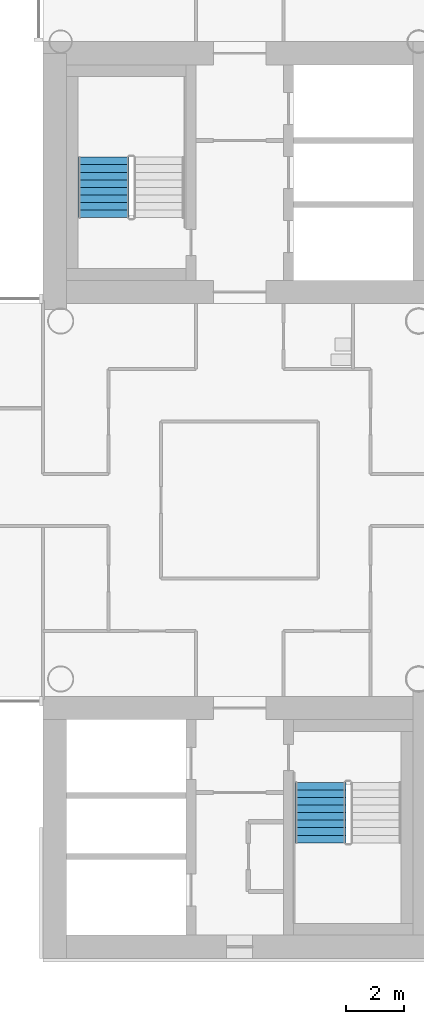
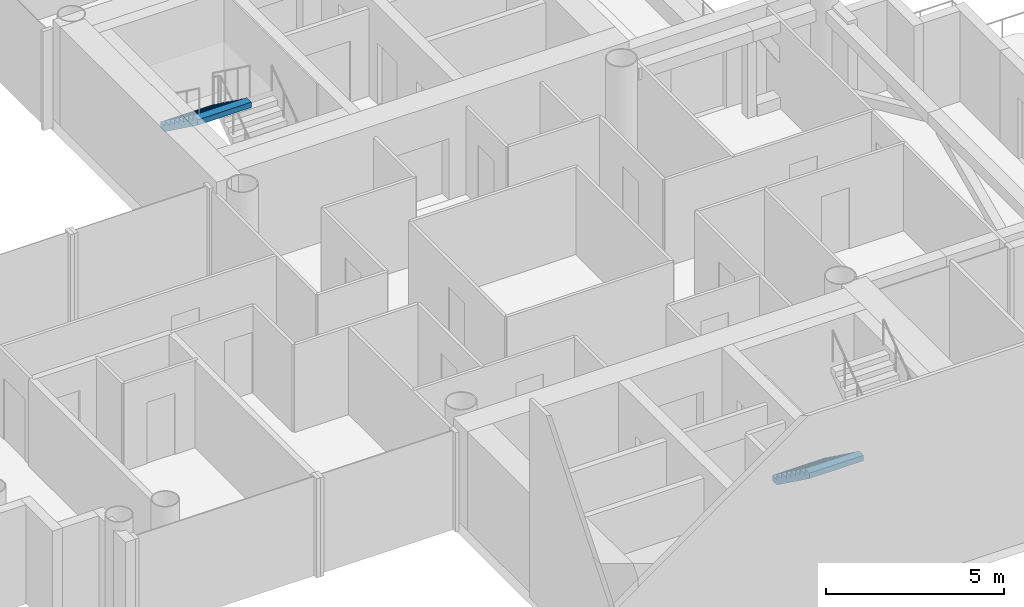
# One storey, part 15 of 19: 2 stair flights, 2 elements without a shape of their own.
"""IFC4 building model written with IfcOpenShell, lengths in metres."""

import ifcopenshell
import ifcopenshell.guid

model = None  # the IFC model being written
_history = None  # IfcOwnerHistory: only IFC2X3 demands one
_inside = {}  # id of a spatial element -> (the spatial element, [elements in it])
_under = {}  # id of a project, library or spatial element -> (it, [spatial elements below it])
_declared = {}  # id of a project -> (the project, [libraries it declares])
_typed = {}  # id of a type object -> (the type object, [elements of that type])
_made_of = {}  # id of a material, layer set ... -> (it, [elements and type objects made of it])


def new_model(schema):
    """Start an empty IFC model of exactly this schema.

    Asked for "IFC4X3", IfcOpenShell would pick the latest addendum, in which some entities
    have other attributes; the version numbers below select the first issue.
    IFC2X3 requires an IfcOwnerHistory on every rooted entity: one is made here for all.
    """
    global model, _history
    if schema == "IFC4X3":
        model = ifcopenshell.file(schema_version=(4, 3, 0, 0))
    else:
        model = ifcopenshell.file(schema=schema)
    _inside.clear()
    _under.clear()
    _declared.clear()
    _typed.clear()
    _made_of.clear()
    _history = None
    if model.schema == "IFC2X3":
        org = make("IfcOrganization", Name="unknown")
        user = make(
            "IfcPersonAndOrganization",
            ThePerson=make("IfcPerson", FamilyName="unknown"),
            TheOrganization=org,
        )
        app = make(
            "IfcApplication",
            ApplicationDeveloper=org,
            Version="unknown",
            ApplicationFullName="unknown",
            ApplicationIdentifier="unknown",
        )
        _history = make(
            "IfcOwnerHistory",
            OwningUser=user,
            OwningApplication=app,
            ChangeAction="ADDED",
            CreationDate=0,
        )
    return model


def make(cls, **values):
    """One entity of the class cls with the attributes given. An attribute that is None is left unset."""
    return model.create_entity(
        cls, **{name: value for name, value in values.items() if value is not None}
    )


def rooted(cls, **values):
    """An entity with a GlobalId (a new one), such as an element, a storey or a relation."""
    return make(cls, GlobalId=ifcopenshell.guid.new(), OwnerHistory=_history, **values)


def si_unit(unit_type, name, prefix=None):
    """IfcSIUnit, for example si_unit("LENGTHUNIT", "METRE", prefix="MILLI")."""
    return make("IfcSIUnit", UnitType=unit_type, Prefix=prefix, Name=name)


def assignment(units):
    """IfcUnitAssignment: the units of a project."""
    return None if units is None else make("IfcUnitAssignment", Units=units)


def point(xyz):
    """IfcCartesianPoint."""
    return None if xyz is None else make("IfcCartesianPoint", Coordinates=xyz)


def direction(xyz):
    """IfcDirection."""
    return None if xyz is None else make("IfcDirection", DirectionRatios=xyz)


def frame(location, z_axis=None, x_axis=None):
    """IfcAxis2Placement3D, a coordinate frame: its origin and axes. An axis left out is left unset."""
    return make(
        "IfcAxis2Placement3D",
        Location=point(location),
        Axis=direction(z_axis),
        RefDirection=direction(x_axis),
    )


def origin():
    """The frame at (0, 0, 0) with its axes left unset."""
    return frame((0.0, 0.0, 0.0))


def place(relative_to, where):
    """IfcLocalPlacement: puts the frame where relative to a parent placement (None: the world)."""
    return make(
        "IfcLocalPlacement", PlacementRelTo=relative_to, RelativePlacement=where
    )


def context(
    kind, dimensions, precision=None, world=None, true_north=None, identifier=None
):
    """IfcGeometricRepresentationContext, for example the 3D "Model" context."""
    return make(
        "IfcGeometricRepresentationContext",
        ContextIdentifier=identifier,
        ContextType=kind,
        CoordinateSpaceDimension=dimensions,
        Precision=precision,
        WorldCoordinateSystem=world,
        TrueNorth=true_north,
    )


def subcontext(parent, identifier, kind, view, scale=None):
    """IfcGeometricRepresentationSubContext, for example "Body" below "Model"."""
    return make(
        "IfcGeometricRepresentationSubContext",
        ContextIdentifier=identifier,
        ContextType=kind,
        ParentContext=parent,
        TargetScale=scale,
        TargetView=view,
    )


def project(units=None, contexts=None):
    """IfcProject with its units and contexts."""
    return rooted(
        "IfcProject",
        Name="project",
        RepresentationContexts=contexts,
        UnitsInContext=assignment(units),
    )


def spatial(cls, under=None, at=None, **own):
    """A site, building, storey or space (cls), placed at a placement, below another one or the project."""
    s = rooted(cls, ObjectPlacement=at, **own)
    if under is not None:
        _under.setdefault(under.id(), (under, []))[1].append(s)
    return s


def faces_of(points, faces, orient=None, outer=None):
    """IfcFace entities. A face is a list of loops; a loop is a list of indices into points, from 0.

    orient and outer hold one flag for each loop. By default every Orientation is true, the
    first loop of a face is its IfcFaceOuterBound and the others are IfcFaceBound.
    """
    made = []
    for i, loops in enumerate(faces):
        bounds = []
        for j, loop in enumerate(loops):
            is_outer = j == 0 if outer is None else outer[i][j]
            bounds.append(
                make(
                    "IfcFaceOuterBound" if is_outer else "IfcFaceBound",
                    Bound=make("IfcPolyLoop", Polygon=[points[k] for k in loop]),
                    Orientation=True if orient is None else orient[i][j],
                )
            )
        made.append(make("IfcFace", Bounds=bounds))
    return made


def faceted_brep(points, faces, orient=None, outer=None, voids=None):
    """IfcFacetedBrep: a solid bounded by flat faces; with voids (closed shells), ...WithVoids."""
    shared = [point(p) for p in points]
    hull = make("IfcClosedShell", CfsFaces=faces_of(shared, faces, orient, outer))
    if voids is None:
        return make("IfcFacetedBrep", Outer=hull)
    return make(
        "IfcFacetedBrepWithVoids",
        Outer=hull,
        Voids=[
            make(cls, CfsFaces=faces_of(shared, fs, o, b)) for cls, fs, o, b in voids
        ],
    )


def shape(context_of_items, identifier, shape_type, items):
    """IfcShapeRepresentation: the items that make up one representation, for example the "Body"."""
    return make(
        "IfcShapeRepresentation",
        ContextOfItems=context_of_items,
        RepresentationIdentifier=identifier,
        RepresentationType=shape_type,
        Items=items,
    )


def material(Name=None, Category=None):
    """IfcMaterial."""
    return make("IfcMaterial", Name=Name, Category=Category)


def made_of(thing, what):
    """Note that an element or type object is made of a material, layer set ...; save() writes the relation."""
    if what is not None:
        _made_of.setdefault(what.id(), (what, []))[1].append(thing)
    return thing


def type_object(cls, material=None, **own):
    """A type object (cls), such as IfcWallType, which elements share."""
    return made_of(rooted(cls, **own), material)


def element(
    cls,
    number,
    at=None,
    inside=None,
    cuts=None,
    type_object=None,
    material=None,
    context=None,
    identifier="Body",
    shape_type=None,
    held_by="IfcProductDefinitionShape",
    body=None,
    shapes=None,
    **own,
):
    """One element of the class cls, such as IfcWall. Its Tag is "e" and its number.

    at: its placement. inside: the storey or other place that contains it. cuts: it is an
    opening in that element (IfcRelVoidsElement). A single representation is given by context,
    identifier, shape_type and body (its items); several are given by shapes. held_by: the class
    of the entity that holds the representations. save() writes the other relations.
    """
    e = rooted(cls, Tag="e%d" % number, ObjectPlacement=at, **own)
    if body is not None:
        shapes = [shape(context, identifier, shape_type, body)]
    if shapes is not None:
        e.Representation = make(held_by, Representations=shapes)
    if inside is not None:
        _inside.setdefault(inside.id(), (inside, []))[1].append(e)
    if cuts is not None:
        rooted(
            "IfcRelVoidsElement", RelatingBuildingElement=cuts, RelatedOpeningElement=e
        )
    if type_object is not None:
        _typed.setdefault(type_object.id(), (type_object, []))[1].append(e)
    return made_of(e, material)


def aggregate(whole, parts):
    """IfcRelAggregates: a whole, such as a stair, and the parts it consists of."""
    return rooted("IfcRelAggregates", RelatingObject=whole, RelatedObjects=parts)


def save(model, path):
    """Write the relations noted so far, then the file.

    IfcRelAggregates (storeys below a building ...), IfcRelContainedInSpatialStructure (elements
    in a storey), IfcRelDefinesByType, IfcRelAssociatesMaterial and IfcRelDeclares: one each for
    every whole, place, type object, material and project.
    """
    for whole, parts in _under.values():
        aggregate(whole, parts)
    for where, things in _inside.values():
        rooted(
            "IfcRelContainedInSpatialStructure",
            RelatedElements=things,
            RelatingStructure=where,
        )
    for kind, things in _typed.values():
        rooted("IfcRelDefinesByType", RelatedObjects=things, RelatingType=kind)
    for what, things in _made_of.values():
        rooted("IfcRelAssociatesMaterial", RelatedObjects=things, RelatingMaterial=what)
    for by, libraries in _declared.values():
        rooted("IfcRelDeclares", RelatingContext=by, RelatedDefinitions=libraries)
    model.write(path)


model = new_model("IFC4")

# Units and contexts
model_context = context("Model", 3, precision=1e-05, world=origin(), true_north=direction((0.0, 1.0)))
body_context = subcontext(model_context, "Body", "Model", "MODEL_VIEW")
ifc_project = project(units=[si_unit("LENGTHUNIT", "METRE"), si_unit("AREAUNIT", "SQUARE_METRE"), si_unit("VOLUMEUNIT", "CUBIC_METRE"), si_unit("PLANEANGLEUNIT", "RADIAN"), si_unit("MASSUNIT", "GRAM", prefix="KILO")], contexts=[model_context])

# Site, building, storey
site_placement = place(None, origin())
site = spatial("IfcSite", under=ifc_project, at=site_placement, CompositionType="ELEMENT")
building_placement = place(site_placement, origin())
building = spatial("IfcBuilding", under=site, at=building_placement, Name="Ipe Terrace Towers", CompositionType="ELEMENT")
storey_placement = place(building_placement, frame((0.0, 0.0, 133.699951171875)))
storey = spatial("IfcBuildingStorey", under=building, at=storey_placement, Name="L36", CompositionType="ELEMENT", Elevation=133.699951171875)

# Stair, stair flight
ifc_material_1 = material(Name="Concrete C30/37", Category="concrete")
stair_type = type_object("IfcStairType", Name="Protected exit stair", PredefinedType="HALF_TURN_STAIR", material=ifc_material_1)
stair_1_placement = place(storey_placement, origin())
stair_1 = element("IfcStair", 1, at=stair_1_placement, inside=storey, type_object=stair_type, Name="L36 Exit stair T2-C1", PredefinedType="HALF_TURN_STAIR")
ifc_material_2 = material(Name="Concrete C30/37", Category="concrete")
stair_flight_type = type_object("IfcStairFlightType", Name="Exit stair flight 1750", PredefinedType="STRAIGHT", material=ifc_material_2)
stair_flight_1_placement = place(storey_placement, frame((31.324951171875, 11.780029296875, 1.699951171875), z_axis=(0.0, 0.0, 1.0), x_axis=(0.0, -1.0, 0.0)))
stair_flight_1 = element("IfcStairFlight", 2, at=stair_flight_1_placement, type_object=stair_flight_type, Name="T2-ST1 flight 2", NumberOfRisers=9, NumberOfTreads=8, PredefinedType="STRAIGHT", RiserHeight=0.188888889, TreadLength=0.26, context=body_context, shape_type="Brep", body=[
    faceted_brep([(0.255126953125, -0.875, 0.0), (2.080078125, -0.875, 1.325927734375), (2.080078125, -0.875, 1.51123046875), (1.820068359375, -0.875, 1.51123046875), (1.820068359375, -0.875, 1.322265625), (1.56005859375, -0.875, 1.322265625), (1.56005859375, -0.875, 1.13330078125), (1.300048828125, -0.875, 1.13330078125), (1.300048828125, -0.875, 0.9443359375), (1.0400390625, -0.875, 0.9443359375), (1.0400390625, -0.875, 0.755615234375), (0.780029296875, -0.875, 0.755615234375), (0.780029296875, -0.875, 0.566650390625), (0.52001953125, -0.875, 0.566650390625), (0.52001953125, -0.875, 0.377685546875), (0.260009765625, -0.875, 0.377685546875), (0.260009765625, -0.875, 0.18896484375), (0.0, -0.875, 0.18896484375), (0.0, -0.875, 0.0), (0.0, 0.875, 0.0), (0.0, 0.875, 0.18896484375), (0.260009765625, 0.875, 0.18896484375), (0.260009765625, 0.875, 0.377685546875), (0.52001953125, 0.875, 0.377685546875), (0.52001953125, 0.875, 0.566650390625), (0.780029296875, 0.875, 0.566650390625), (0.780029296875, 0.875, 0.755615234375), (1.0400390625, 0.875, 0.755615234375), (1.0400390625, 0.875, 0.9443359375), (1.300048828125, 0.875, 0.9443359375), (1.300048828125, 0.875, 1.13330078125), (1.56005859375, 0.875, 1.13330078125), (1.56005859375, 0.875, 1.322265625), (1.820068359375, 0.875, 1.322265625), (1.820068359375, 0.875, 1.51123046875), (2.080078125, 0.875, 1.51123046875), (2.080078125, 0.875, 1.325927734375), (0.255126953125, 0.875, 0.0), (0.0, -0.300048828125, 0.18896484375), (0.0, -0.1201171875, 0.18896484375), (0.0, -0.06005859375, 0.18896484375), (0.0, -0.030029296875, 0.18896484375), (0.0, -0.010009765625, 0.18896484375), (0.0, 0.0, 0.18896484375), (0.0, 0.010009765625, 0.18896484375), (0.0, 0.030029296875, 0.18896484375), (0.0, 0.06005859375, 0.18896484375), (0.0, 0.1201171875, 0.18896484375), (0.0, 0.300048828125, 0.18896484375), (0.0, 0.300048828125, 0.0), (0.0, 0.1201171875, 0.0), (0.0, 0.06005859375, 0.0), (0.0, 0.030029296875, 0.0), (0.0, 0.010009765625, 0.0), (0.0, 0.0, 0.0), (0.0, -0.010009765625, 0.0), (0.0, -0.030029296875, 0.0), (0.0, -0.06005859375, 0.0), (0.0, -0.1201171875, 0.0), (0.0, -0.300048828125, 0.0), (0.260009765625, -0.300048828125, 0.18896484375), (0.260009765625, -0.1201171875, 0.18896484375), (0.260009765625, -0.06005859375, 0.18896484375), (0.260009765625, -0.030029296875, 0.18896484375), (0.260009765625, -0.010009765625, 0.18896484375), (0.260009765625, 0.0, 0.18896484375), (0.260009765625, 0.010009765625, 0.18896484375), (0.260009765625, 0.030029296875, 0.18896484375), (0.260009765625, 0.06005859375, 0.18896484375), (0.260009765625, 0.1201171875, 0.18896484375), (0.260009765625, 0.300048828125, 0.18896484375), (0.260009765625, -0.300048828125, 0.377685546875), (0.260009765625, -0.1201171875, 0.377685546875), (0.260009765625, -0.06005859375, 0.377685546875), (0.260009765625, -0.030029296875, 0.377685546875), (0.260009765625, -0.010009765625, 0.377685546875), (0.260009765625, 0.0, 0.377685546875), (0.260009765625, 0.010009765625, 0.377685546875), (0.260009765625, 0.030029296875, 0.377685546875), (0.260009765625, 0.06005859375, 0.377685546875), (0.260009765625, 0.1201171875, 0.377685546875), (0.260009765625, 0.300048828125, 0.377685546875), (0.52001953125, -0.300048828125, 0.377685546875), (0.52001953125, -0.1201171875, 0.377685546875), (0.52001953125, -0.06005859375, 0.377685546875), (0.52001953125, -0.030029296875, 0.377685546875), (0.52001953125, -0.010009765625, 0.377685546875), (0.52001953125, 0.0, 0.377685546875), (0.52001953125, 0.010009765625, 0.377685546875), (0.52001953125, 0.030029296875, 0.377685546875), (0.52001953125, 0.06005859375, 0.377685546875), (0.52001953125, 0.1201171875, 0.377685546875), (0.52001953125, 0.300048828125, 0.377685546875), (0.52001953125, -0.300048828125, 0.566650390625), (0.52001953125, -0.1201171875, 0.566650390625), (0.52001953125, -0.06005859375, 0.566650390625), (0.52001953125, -0.030029296875, 0.566650390625), (0.52001953125, -0.010009765625, 0.566650390625), (0.52001953125, 0.0, 0.566650390625), (0.52001953125, 0.010009765625, 0.566650390625), (0.52001953125, 0.030029296875, 0.566650390625), (0.52001953125, 0.06005859375, 0.566650390625), (0.52001953125, 0.1201171875, 0.566650390625), (0.52001953125, 0.300048828125, 0.566650390625), (0.780029296875, -0.300048828125, 0.566650390625), (0.780029296875, -0.1201171875, 0.566650390625), (0.780029296875, -0.06005859375, 0.566650390625), (0.780029296875, -0.030029296875, 0.566650390625), (0.780029296875, -0.010009765625, 0.566650390625), (0.780029296875, 0.0, 0.566650390625), (0.780029296875, 0.010009765625, 0.566650390625), (0.780029296875, 0.030029296875, 0.566650390625), (0.780029296875, 0.06005859375, 0.566650390625), (0.780029296875, 0.1201171875, 0.566650390625), (0.780029296875, 0.300048828125, 0.566650390625), (0.780029296875, -0.300048828125, 0.755615234375), (0.780029296875, -0.1201171875, 0.755615234375), (0.780029296875, -0.06005859375, 0.755615234375), (0.780029296875, -0.030029296875, 0.755615234375), (0.780029296875, -0.010009765625, 0.755615234375), (0.780029296875, 0.0, 0.755615234375), (0.780029296875, 0.010009765625, 0.755615234375), (0.780029296875, 0.030029296875, 0.755615234375), (0.780029296875, 0.06005859375, 0.755615234375), (0.780029296875, 0.1201171875, 0.755615234375), (0.780029296875, 0.300048828125, 0.755615234375), (1.0400390625, -0.300048828125, 0.755615234375), (1.0400390625, -0.1201171875, 0.755615234375), (1.0400390625, -0.06005859375, 0.755615234375), (1.0400390625, -0.030029296875, 0.755615234375), (1.0400390625, -0.010009765625, 0.755615234375), (1.0400390625, 0.0, 0.755615234375), (1.0400390625, 0.010009765625, 0.755615234375), (1.0400390625, 0.030029296875, 0.755615234375), (1.0400390625, 0.06005859375, 0.755615234375), (1.0400390625, 0.1201171875, 0.755615234375), (1.0400390625, 0.300048828125, 0.755615234375), (1.0400390625, -0.300048828125, 0.9443359375), (1.0400390625, -0.1201171875, 0.9443359375), (1.0400390625, -0.06005859375, 0.9443359375), (1.0400390625, -0.030029296875, 0.9443359375), (1.0400390625, -0.010009765625, 0.9443359375), (1.0400390625, 0.0, 0.9443359375), (1.0400390625, 0.010009765625, 0.9443359375), (1.0400390625, 0.030029296875, 0.9443359375), (1.0400390625, 0.06005859375, 0.9443359375), (1.0400390625, 0.1201171875, 0.9443359375), (1.0400390625, 0.300048828125, 0.9443359375), (1.300048828125, -0.300048828125, 0.9443359375), (1.300048828125, -0.1201171875, 0.9443359375), (1.300048828125, -0.06005859375, 0.9443359375), (1.300048828125, -0.030029296875, 0.9443359375), (1.300048828125, -0.010009765625, 0.9443359375), (1.300048828125, 0.0, 0.9443359375), (1.300048828125, 0.010009765625, 0.9443359375), (1.300048828125, 0.030029296875, 0.9443359375), (1.300048828125, 0.06005859375, 0.9443359375), (1.300048828125, 0.1201171875, 0.9443359375), (1.300048828125, 0.300048828125, 0.9443359375), (1.300048828125, -0.300048828125, 1.13330078125), (1.300048828125, -0.1201171875, 1.13330078125), (1.300048828125, -0.06005859375, 1.13330078125), (1.300048828125, -0.030029296875, 1.13330078125), (1.300048828125, -0.010009765625, 1.13330078125), (1.300048828125, 0.0, 1.13330078125), (1.300048828125, 0.010009765625, 1.13330078125), (1.300048828125, 0.030029296875, 1.13330078125), (1.300048828125, 0.06005859375, 1.13330078125), (1.300048828125, 0.1201171875, 1.13330078125), (1.300048828125, 0.300048828125, 1.13330078125), (1.56005859375, -0.300048828125, 1.13330078125), (1.56005859375, -0.1201171875, 1.13330078125), (1.56005859375, -0.06005859375, 1.13330078125), (1.56005859375, -0.030029296875, 1.13330078125), (1.56005859375, -0.010009765625, 1.13330078125), (1.56005859375, 0.0, 1.13330078125), (1.56005859375, 0.010009765625, 1.13330078125), (1.56005859375, 0.030029296875, 1.13330078125), (1.56005859375, 0.06005859375, 1.13330078125), (1.56005859375, 0.1201171875, 1.13330078125), (1.56005859375, 0.300048828125, 1.13330078125), (1.56005859375, -0.300048828125, 1.322265625), (1.56005859375, -0.1201171875, 1.322265625), (1.56005859375, -0.06005859375, 1.322265625), (1.56005859375, -0.030029296875, 1.322265625), (1.56005859375, -0.010009765625, 1.322265625), (1.56005859375, 0.0, 1.322265625), (1.56005859375, 0.010009765625, 1.322265625), (1.56005859375, 0.030029296875, 1.322265625), (1.56005859375, 0.06005859375, 1.322265625), (1.56005859375, 0.1201171875, 1.322265625), (1.56005859375, 0.300048828125, 1.322265625), (1.820068359375, -0.300048828125, 1.322265625), (1.820068359375, -0.1201171875, 1.322265625), (1.820068359375, -0.06005859375, 1.322265625), (1.820068359375, -0.030029296875, 1.322265625), (1.820068359375, -0.010009765625, 1.322265625), (1.820068359375, 0.0, 1.322265625), (1.820068359375, 0.010009765625, 1.322265625), (1.820068359375, 0.030029296875, 1.322265625), (1.820068359375, 0.06005859375, 1.322265625), (1.820068359375, 0.1201171875, 1.322265625), (1.820068359375, 0.300048828125, 1.322265625), (1.820068359375, -0.300048828125, 1.51123046875), (1.820068359375, -0.1201171875, 1.51123046875), (1.820068359375, -0.06005859375, 1.51123046875), (1.820068359375, -0.030029296875, 1.51123046875), (1.820068359375, -0.010009765625, 1.51123046875), (1.820068359375, 0.0, 1.51123046875), (1.820068359375, 0.010009765625, 1.51123046875), (1.820068359375, 0.030029296875, 1.51123046875), (1.820068359375, 0.06005859375, 1.51123046875), (1.820068359375, 0.1201171875, 1.51123046875), (1.820068359375, 0.300048828125, 1.51123046875), (2.080078125, -0.300048828125, 1.51123046875), (2.080078125, -0.1201171875, 1.51123046875), (2.080078125, -0.06005859375, 1.51123046875), (2.080078125, -0.030029296875, 1.51123046875), (2.080078125, -0.010009765625, 1.51123046875), (2.080078125, 0.0, 1.51123046875), (2.080078125, 0.010009765625, 1.51123046875), (2.080078125, 0.030029296875, 1.51123046875), (2.080078125, 0.06005859375, 1.51123046875), (2.080078125, 0.1201171875, 1.51123046875), (2.080078125, 0.300048828125, 1.51123046875), (2.080078125, -0.300048828125, 1.325927734375), (2.080078125, -0.1201171875, 1.325927734375), (2.080078125, -0.06005859375, 1.325927734375), (2.080078125, -0.030029296875, 1.325927734375), (2.080078125, -0.010009765625, 1.325927734375), (2.080078125, 0.0, 1.325927734375), (2.080078125, 0.010009765625, 1.325927734375), (2.080078125, 0.030029296875, 1.325927734375), (2.080078125, 0.06005859375, 1.325927734375), (2.080078125, 0.1201171875, 1.325927734375), (2.080078125, 0.300048828125, 1.325927734375), (0.255126953125, -0.300048828125, 0.0), (0.255126953125, -0.1201171875, 0.0), (0.255126953125, -0.06005859375, 0.0), (0.255126953125, -0.030029296875, 0.0), (0.255126953125, -0.010009765625, 0.0), (0.255126953125, 0.0, 0.0), (0.255126953125, 0.010009765625, 0.0), (0.255126953125, 0.030029296875, 0.0), (0.255126953125, 0.06005859375, 0.0), (0.255126953125, 0.1201171875, 0.0), (0.255126953125, 0.300048828125, 0.0)], [[[0, 1, 2, 3, 4, 5, 6, 7, 8, 9, 10, 11, 12, 13, 14, 15, 16, 17, 18]], [[19, 20, 21, 22, 23, 24, 25, 26, 27, 28, 29, 30, 31, 32, 33, 34, 35, 36, 37]], [[17, 38, 39, 40, 41, 42, 43, 44, 45, 46, 47, 48, 20, 19, 49, 50, 51, 52, 53, 54, 55, 56, 57, 58, 59, 18]], [[16, 60, 61, 62, 63, 64, 65, 66, 67, 68, 69, 70, 21, 20, 48, 47, 46, 45, 44, 43, 42, 41, 40, 39, 38, 17]], [[15, 71, 72, 73, 74, 75, 76, 77, 78, 79, 80, 81, 22, 21, 70, 69, 68, 67, 66, 65, 64, 63, 62, 61, 60, 16]], [[14, 82, 83, 84, 85, 86, 87, 88, 89, 90, 91, 92, 23, 22, 81, 80, 79, 78, 77, 76, 75, 74, 73, 72, 71, 15]], [[13, 93, 94, 95, 96, 97, 98, 99, 100, 101, 102, 103, 24, 23, 92, 91, 90, 89, 88, 87, 86, 85, 84, 83, 82, 14]], [[12, 104, 105, 106, 107, 108, 109, 110, 111, 112, 113, 114, 25, 24, 103, 102, 101, 100, 99, 98, 97, 96, 95, 94, 93, 13]], [[11, 115, 116, 117, 118, 119, 120, 121, 122, 123, 124, 125, 26, 25, 114, 113, 112, 111, 110, 109, 108, 107, 106, 105, 104, 12]], [[10, 126, 127, 128, 129, 130, 131, 132, 133, 134, 135, 136, 27, 26, 125, 124, 123, 122, 121, 120, 119, 118, 117, 116, 115, 11]], [[9, 137, 138, 139, 140, 141, 142, 143, 144, 145, 146, 147, 28, 27, 136, 135, 134, 133, 132, 131, 130, 129, 128, 127, 126, 10]], [[8, 148, 149, 150, 151, 152, 153, 154, 155, 156, 157, 158, 29, 28, 147, 146, 145, 144, 143, 142, 141, 140, 139, 138, 137, 9]], [[7, 159, 160, 161, 162, 163, 164, 165, 166, 167, 168, 169, 30, 29, 158, 157, 156, 155, 154, 153, 152, 151, 150, 149, 148, 8]], [[6, 170, 171, 172, 173, 174, 175, 176, 177, 178, 179, 180, 31, 30, 169, 168, 167, 166, 165, 164, 163, 162, 161, 160, 159, 7]], [[5, 181, 182, 183, 184, 185, 186, 187, 188, 189, 190, 191, 32, 31, 180, 179, 178, 177, 176, 175, 174, 173, 172, 171, 170, 6]], [[4, 192, 193, 194, 195, 196, 197, 198, 199, 200, 201, 202, 33, 32, 191, 190, 189, 188, 187, 186, 185, 184, 183, 182, 181, 5]], [[3, 203, 204, 205, 206, 207, 208, 209, 210, 211, 212, 213, 34, 33, 202, 201, 200, 199, 198, 197, 196, 195, 194, 193, 192, 4]], [[2, 214, 215, 216, 217, 218, 219, 220, 221, 222, 223, 224, 35, 34, 213, 212, 211, 210, 209, 208, 207, 206, 205, 204, 203, 3]], [[1, 225, 226, 227, 228, 229, 230, 231, 232, 233, 234, 235, 36, 35, 224, 223, 222, 221, 220, 219, 218, 217, 216, 215, 214, 2]], [[0, 236, 237, 238, 239, 240, 241, 242, 243, 244, 245, 246, 37, 36, 235, 234, 233, 232, 231, 230, 229, 228, 227, 226, 225, 1]], [[18, 59, 58, 57, 56, 55, 54, 53, 52, 51, 50, 49, 19, 37, 246, 245, 244, 243, 242, 241, 240, 239, 238, 237, 236, 0]]]),
])
aggregate(stair_1, [stair_flight_1])

stair_2_placement = place(storey_placement, origin())
stair_2 = element("IfcStair", 3, at=stair_2_placement, inside=storey, type_object=stair_type, Name="L36 Exit stair T2-C2", PredefinedType="HALF_TURN_STAIR")
stair_flight_2_placement = place(storey_placement, frame((38.77490234375, -9.699951171875, 0.0), z_axis=(0.0, 0.0, 1.0), x_axis=(0.0, -1.0, 0.0)))
stair_flight_2 = element("IfcStairFlight", 4, at=stair_flight_2_placement, type_object=stair_flight_type, Name="T2-ST2 flight 1", NumberOfRisers=9, NumberOfTreads=8, PredefinedType="STRAIGHT", RiserHeight=0.188888889, TreadLength=0.26, context=body_context, shape_type="Brep", body=[
    faceted_brep([(0.255126953125, -0.875, 0.0), (2.080078125, -0.875, 1.325927734375), (2.080078125, -0.875, 1.51123046875), (1.820068359375, -0.875, 1.51123046875), (1.820068359375, -0.875, 1.322265625), (1.56005859375, -0.875, 1.322265625), (1.56005859375, -0.875, 1.13330078125), (1.300048828125, -0.875, 1.13330078125), (1.300048828125, -0.875, 0.9443359375), (1.0400390625, -0.875, 0.9443359375), (1.0400390625, -0.875, 0.755615234375), (0.780029296875, -0.875, 0.755615234375), (0.780029296875, -0.875, 0.566650390625), (0.52001953125, -0.875, 0.566650390625), (0.52001953125, -0.875, 0.377685546875), (0.260009765625, -0.875, 0.377685546875), (0.260009765625, -0.875, 0.18896484375), (0.0, -0.875, 0.18896484375), (0.0, -0.875, 0.0), (0.0, 0.875, 0.0), (0.0, 0.875, 0.18896484375), (0.260009765625, 0.875, 0.18896484375), (0.260009765625, 0.875, 0.377685546875), (0.52001953125, 0.875, 0.377685546875), (0.52001953125, 0.875, 0.566650390625), (0.780029296875, 0.875, 0.566650390625), (0.780029296875, 0.875, 0.755615234375), (1.0400390625, 0.875, 0.755615234375), (1.0400390625, 0.875, 0.9443359375), (1.300048828125, 0.875, 0.9443359375), (1.300048828125, 0.875, 1.13330078125), (1.56005859375, 0.875, 1.13330078125), (1.56005859375, 0.875, 1.322265625), (1.820068359375, 0.875, 1.322265625), (1.820068359375, 0.875, 1.51123046875), (2.080078125, 0.875, 1.51123046875), (2.080078125, 0.875, 1.325927734375), (0.255126953125, 0.875, 0.0), (0.0, -0.300048828125, 0.18896484375), (0.0, -0.1201171875, 0.18896484375), (0.0, -0.06005859375, 0.18896484375), (0.0, -0.030029296875, 0.18896484375), (0.0, -0.010009765625, 0.18896484375), (0.0, 0.0, 0.18896484375), (0.0, 0.010009765625, 0.18896484375), (0.0, 0.030029296875, 0.18896484375), (0.0, 0.06005859375, 0.18896484375), (0.0, 0.1201171875, 0.18896484375), (0.0, 0.300048828125, 0.18896484375), (0.0, 0.300048828125, 0.0), (0.0, 0.1201171875, 0.0), (0.0, 0.06005859375, 0.0), (0.0, 0.030029296875, 0.0), (0.0, 0.010009765625, 0.0), (0.0, 0.0, 0.0), (0.0, -0.010009765625, 0.0), (0.0, -0.030029296875, 0.0), (0.0, -0.06005859375, 0.0), (0.0, -0.1201171875, 0.0), (0.0, -0.300048828125, 0.0), (0.260009765625, -0.300048828125, 0.18896484375), (0.260009765625, -0.1201171875, 0.18896484375), (0.260009765625, -0.06005859375, 0.18896484375), (0.260009765625, -0.030029296875, 0.18896484375), (0.260009765625, -0.010009765625, 0.18896484375), (0.260009765625, 0.0, 0.18896484375), (0.260009765625, 0.010009765625, 0.18896484375), (0.260009765625, 0.030029296875, 0.18896484375), (0.260009765625, 0.06005859375, 0.18896484375), (0.260009765625, 0.1201171875, 0.18896484375), (0.260009765625, 0.300048828125, 0.18896484375), (0.260009765625, -0.300048828125, 0.377685546875), (0.260009765625, -0.1201171875, 0.377685546875), (0.260009765625, -0.06005859375, 0.377685546875), (0.260009765625, -0.030029296875, 0.377685546875), (0.260009765625, -0.010009765625, 0.377685546875), (0.260009765625, 0.0, 0.377685546875), (0.260009765625, 0.010009765625, 0.377685546875), (0.260009765625, 0.030029296875, 0.377685546875), (0.260009765625, 0.06005859375, 0.377685546875), (0.260009765625, 0.1201171875, 0.377685546875), (0.260009765625, 0.300048828125, 0.377685546875), (0.52001953125, -0.300048828125, 0.377685546875), (0.52001953125, -0.1201171875, 0.377685546875), (0.52001953125, -0.06005859375, 0.377685546875), (0.52001953125, -0.030029296875, 0.377685546875), (0.52001953125, -0.010009765625, 0.377685546875), (0.52001953125, 0.0, 0.377685546875), (0.52001953125, 0.010009765625, 0.377685546875), (0.52001953125, 0.030029296875, 0.377685546875), (0.52001953125, 0.06005859375, 0.377685546875), (0.52001953125, 0.1201171875, 0.377685546875), (0.52001953125, 0.300048828125, 0.377685546875), (0.52001953125, -0.300048828125, 0.566650390625), (0.52001953125, -0.1201171875, 0.566650390625), (0.52001953125, -0.06005859375, 0.566650390625), (0.52001953125, -0.030029296875, 0.566650390625), (0.52001953125, -0.010009765625, 0.566650390625), (0.52001953125, 0.0, 0.566650390625), (0.52001953125, 0.010009765625, 0.566650390625), (0.52001953125, 0.030029296875, 0.566650390625), (0.52001953125, 0.06005859375, 0.566650390625), (0.52001953125, 0.1201171875, 0.566650390625), (0.52001953125, 0.300048828125, 0.566650390625), (0.780029296875, -0.300048828125, 0.566650390625), (0.780029296875, -0.1201171875, 0.566650390625), (0.780029296875, -0.06005859375, 0.566650390625), (0.780029296875, -0.030029296875, 0.566650390625), (0.780029296875, -0.010009765625, 0.566650390625), (0.780029296875, 0.0, 0.566650390625), (0.780029296875, 0.010009765625, 0.566650390625), (0.780029296875, 0.030029296875, 0.566650390625), (0.780029296875, 0.06005859375, 0.566650390625), (0.780029296875, 0.1201171875, 0.566650390625), (0.780029296875, 0.300048828125, 0.566650390625), (0.780029296875, -0.300048828125, 0.755615234375), (0.780029296875, -0.1201171875, 0.755615234375), (0.780029296875, -0.06005859375, 0.755615234375), (0.780029296875, -0.030029296875, 0.755615234375), (0.780029296875, -0.010009765625, 0.755615234375), (0.780029296875, 0.0, 0.755615234375), (0.780029296875, 0.010009765625, 0.755615234375), (0.780029296875, 0.030029296875, 0.755615234375), (0.780029296875, 0.06005859375, 0.755615234375), (0.780029296875, 0.1201171875, 0.755615234375), (0.780029296875, 0.300048828125, 0.755615234375), (1.0400390625, -0.300048828125, 0.755615234375), (1.0400390625, -0.1201171875, 0.755615234375), (1.0400390625, -0.06005859375, 0.755615234375), (1.0400390625, -0.030029296875, 0.755615234375), (1.0400390625, -0.010009765625, 0.755615234375), (1.0400390625, 0.0, 0.755615234375), (1.0400390625, 0.010009765625, 0.755615234375), (1.0400390625, 0.030029296875, 0.755615234375), (1.0400390625, 0.06005859375, 0.755615234375), (1.0400390625, 0.1201171875, 0.755615234375), (1.0400390625, 0.300048828125, 0.755615234375), (1.0400390625, -0.300048828125, 0.9443359375), (1.0400390625, -0.1201171875, 0.9443359375), (1.0400390625, -0.06005859375, 0.9443359375), (1.0400390625, -0.030029296875, 0.9443359375), (1.0400390625, -0.010009765625, 0.9443359375), (1.0400390625, 0.0, 0.9443359375), (1.0400390625, 0.010009765625, 0.9443359375), (1.0400390625, 0.030029296875, 0.9443359375), (1.0400390625, 0.06005859375, 0.9443359375), (1.0400390625, 0.1201171875, 0.9443359375), (1.0400390625, 0.300048828125, 0.9443359375), (1.300048828125, -0.300048828125, 0.9443359375), (1.300048828125, -0.1201171875, 0.9443359375), (1.300048828125, -0.06005859375, 0.9443359375), (1.300048828125, -0.030029296875, 0.9443359375), (1.300048828125, -0.010009765625, 0.9443359375), (1.300048828125, 0.0, 0.9443359375), (1.300048828125, 0.010009765625, 0.9443359375), (1.300048828125, 0.030029296875, 0.9443359375), (1.300048828125, 0.06005859375, 0.9443359375), (1.300048828125, 0.1201171875, 0.9443359375), (1.300048828125, 0.300048828125, 0.9443359375), (1.300048828125, -0.300048828125, 1.13330078125), (1.300048828125, -0.1201171875, 1.13330078125), (1.300048828125, -0.06005859375, 1.13330078125), (1.300048828125, -0.030029296875, 1.13330078125), (1.300048828125, -0.010009765625, 1.13330078125), (1.300048828125, 0.0, 1.13330078125), (1.300048828125, 0.010009765625, 1.13330078125), (1.300048828125, 0.030029296875, 1.13330078125), (1.300048828125, 0.06005859375, 1.13330078125), (1.300048828125, 0.1201171875, 1.13330078125), (1.300048828125, 0.300048828125, 1.13330078125), (1.56005859375, -0.300048828125, 1.13330078125), (1.56005859375, -0.1201171875, 1.13330078125), (1.56005859375, -0.06005859375, 1.13330078125), (1.56005859375, -0.030029296875, 1.13330078125), (1.56005859375, -0.010009765625, 1.13330078125), (1.56005859375, 0.0, 1.13330078125), (1.56005859375, 0.010009765625, 1.13330078125), (1.56005859375, 0.030029296875, 1.13330078125), (1.56005859375, 0.06005859375, 1.13330078125), (1.56005859375, 0.1201171875, 1.13330078125), (1.56005859375, 0.300048828125, 1.13330078125), (1.56005859375, -0.300048828125, 1.322265625), (1.56005859375, -0.1201171875, 1.322265625), (1.56005859375, -0.06005859375, 1.322265625), (1.56005859375, -0.030029296875, 1.322265625), (1.56005859375, -0.010009765625, 1.322265625), (1.56005859375, 0.0, 1.322265625), (1.56005859375, 0.010009765625, 1.322265625), (1.56005859375, 0.030029296875, 1.322265625), (1.56005859375, 0.06005859375, 1.322265625), (1.56005859375, 0.1201171875, 1.322265625), (1.56005859375, 0.300048828125, 1.322265625), (1.820068359375, -0.300048828125, 1.322265625), (1.820068359375, -0.1201171875, 1.322265625), (1.820068359375, -0.06005859375, 1.322265625), (1.820068359375, -0.030029296875, 1.322265625), (1.820068359375, -0.010009765625, 1.322265625), (1.820068359375, 0.0, 1.322265625), (1.820068359375, 0.010009765625, 1.322265625), (1.820068359375, 0.030029296875, 1.322265625), (1.820068359375, 0.06005859375, 1.322265625), (1.820068359375, 0.1201171875, 1.322265625), (1.820068359375, 0.300048828125, 1.322265625), (1.820068359375, -0.300048828125, 1.51123046875), (1.820068359375, -0.1201171875, 1.51123046875), (1.820068359375, -0.06005859375, 1.51123046875), (1.820068359375, -0.030029296875, 1.51123046875), (1.820068359375, -0.010009765625, 1.51123046875), (1.820068359375, 0.0, 1.51123046875), (1.820068359375, 0.010009765625, 1.51123046875), (1.820068359375, 0.030029296875, 1.51123046875), (1.820068359375, 0.06005859375, 1.51123046875), (1.820068359375, 0.1201171875, 1.51123046875), (1.820068359375, 0.300048828125, 1.51123046875), (2.080078125, -0.300048828125, 1.51123046875), (2.080078125, -0.1201171875, 1.51123046875), (2.080078125, -0.06005859375, 1.51123046875), (2.080078125, -0.030029296875, 1.51123046875), (2.080078125, -0.010009765625, 1.51123046875), (2.080078125, 0.0, 1.51123046875), (2.080078125, 0.010009765625, 1.51123046875), (2.080078125, 0.030029296875, 1.51123046875), (2.080078125, 0.06005859375, 1.51123046875), (2.080078125, 0.1201171875, 1.51123046875), (2.080078125, 0.300048828125, 1.51123046875), (2.080078125, -0.300048828125, 1.325927734375), (2.080078125, -0.1201171875, 1.325927734375), (2.080078125, -0.06005859375, 1.325927734375), (2.080078125, -0.030029296875, 1.325927734375), (2.080078125, -0.010009765625, 1.325927734375), (2.080078125, 0.0, 1.325927734375), (2.080078125, 0.010009765625, 1.325927734375), (2.080078125, 0.030029296875, 1.325927734375), (2.080078125, 0.06005859375, 1.325927734375), (2.080078125, 0.1201171875, 1.325927734375), (2.080078125, 0.300048828125, 1.325927734375), (0.255126953125, -0.300048828125, 0.0), (0.255126953125, -0.1201171875, 0.0), (0.255126953125, -0.06005859375, 0.0), (0.255126953125, -0.030029296875, 0.0), (0.255126953125, -0.010009765625, 0.0), (0.255126953125, 0.0, 0.0), (0.255126953125, 0.010009765625, 0.0), (0.255126953125, 0.030029296875, 0.0), (0.255126953125, 0.06005859375, 0.0), (0.255126953125, 0.1201171875, 0.0), (0.255126953125, 0.300048828125, 0.0)], [[[0, 1, 2, 3, 4, 5, 6, 7, 8, 9, 10, 11, 12, 13, 14, 15, 16, 17, 18]], [[19, 20, 21, 22, 23, 24, 25, 26, 27, 28, 29, 30, 31, 32, 33, 34, 35, 36, 37]], [[17, 38, 39, 40, 41, 42, 43, 44, 45, 46, 47, 48, 20, 19, 49, 50, 51, 52, 53, 54, 55, 56, 57, 58, 59, 18]], [[16, 60, 61, 62, 63, 64, 65, 66, 67, 68, 69, 70, 21, 20, 48, 47, 46, 45, 44, 43, 42, 41, 40, 39, 38, 17]], [[15, 71, 72, 73, 74, 75, 76, 77, 78, 79, 80, 81, 22, 21, 70, 69, 68, 67, 66, 65, 64, 63, 62, 61, 60, 16]], [[14, 82, 83, 84, 85, 86, 87, 88, 89, 90, 91, 92, 23, 22, 81, 80, 79, 78, 77, 76, 75, 74, 73, 72, 71, 15]], [[13, 93, 94, 95, 96, 97, 98, 99, 100, 101, 102, 103, 24, 23, 92, 91, 90, 89, 88, 87, 86, 85, 84, 83, 82, 14]], [[12, 104, 105, 106, 107, 108, 109, 110, 111, 112, 113, 114, 25, 24, 103, 102, 101, 100, 99, 98, 97, 96, 95, 94, 93, 13]], [[11, 115, 116, 117, 118, 119, 120, 121, 122, 123, 124, 125, 26, 25, 114, 113, 112, 111, 110, 109, 108, 107, 106, 105, 104, 12]], [[10, 126, 127, 128, 129, 130, 131, 132, 133, 134, 135, 136, 27, 26, 125, 124, 123, 122, 121, 120, 119, 118, 117, 116, 115, 11]], [[9, 137, 138, 139, 140, 141, 142, 143, 144, 145, 146, 147, 28, 27, 136, 135, 134, 133, 132, 131, 130, 129, 128, 127, 126, 10]], [[8, 148, 149, 150, 151, 152, 153, 154, 155, 156, 157, 158, 29, 28, 147, 146, 145, 144, 143, 142, 141, 140, 139, 138, 137, 9]], [[7, 159, 160, 161, 162, 163, 164, 165, 166, 167, 168, 169, 30, 29, 158, 157, 156, 155, 154, 153, 152, 151, 150, 149, 148, 8]], [[6, 170, 171, 172, 173, 174, 175, 176, 177, 178, 179, 180, 31, 30, 169, 168, 167, 166, 165, 164, 163, 162, 161, 160, 159, 7]], [[5, 181, 182, 183, 184, 185, 186, 187, 188, 189, 190, 191, 32, 31, 180, 179, 178, 177, 176, 175, 174, 173, 172, 171, 170, 6]], [[4, 192, 193, 194, 195, 196, 197, 198, 199, 200, 201, 202, 33, 32, 191, 190, 189, 188, 187, 186, 185, 184, 183, 182, 181, 5]], [[3, 203, 204, 205, 206, 207, 208, 209, 210, 211, 212, 213, 34, 33, 202, 201, 200, 199, 198, 197, 196, 195, 194, 193, 192, 4]], [[2, 214, 215, 216, 217, 218, 219, 220, 221, 222, 223, 224, 35, 34, 213, 212, 211, 210, 209, 208, 207, 206, 205, 204, 203, 3]], [[1, 225, 226, 227, 228, 229, 230, 231, 232, 233, 234, 235, 36, 35, 224, 223, 222, 221, 220, 219, 218, 217, 216, 215, 214, 2]], [[0, 236, 237, 238, 239, 240, 241, 242, 243, 244, 245, 246, 37, 36, 235, 234, 233, 232, 231, 230, 229, 228, 227, 226, 225, 1]], [[18, 59, 58, 57, 56, 55, 54, 53, 52, 51, 50, 49, 19, 37, 246, 245, 244, 243, 242, 241, 240, 239, 238, 237, 236, 0]]]),
])
aggregate(stair_2, [stair_flight_2])

save(model, "model.ifc")
